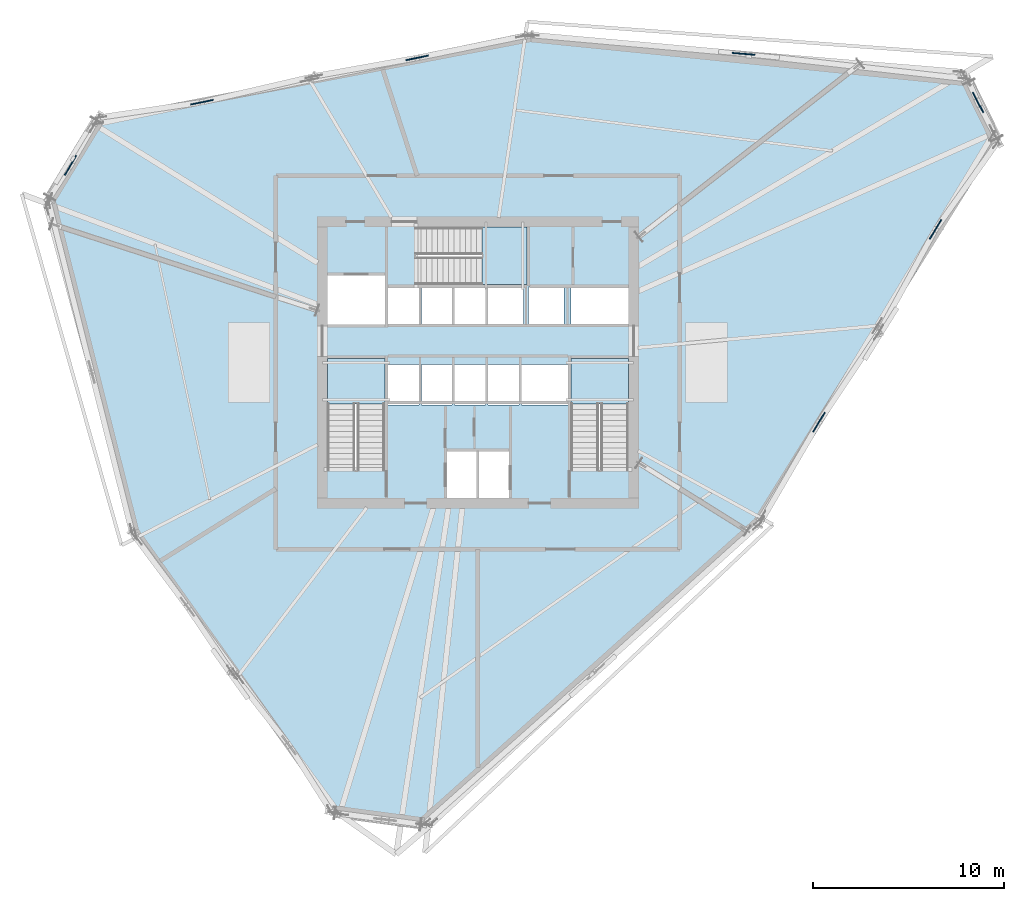
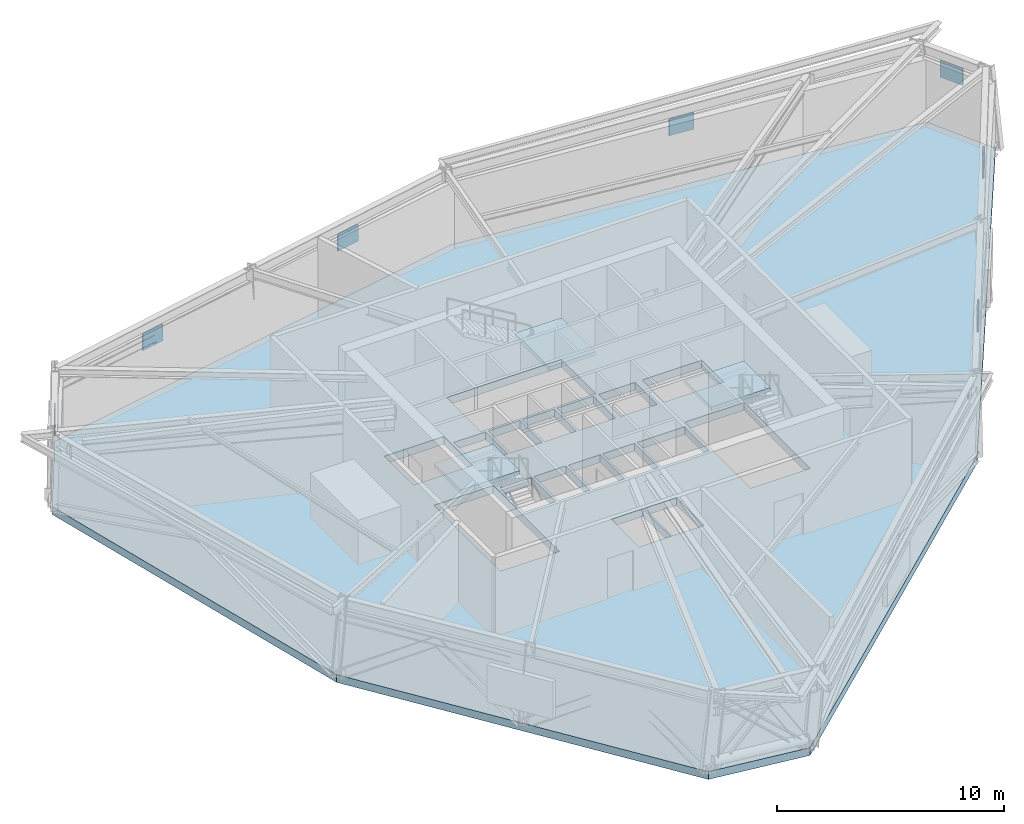
# One storey, part 4 of 14: 7 plates, 4 slabs, 3 elements without a shape of their own.
"""IFC4 building model written with IfcOpenShell, lengths in metres."""

from ifc_helpers import new_model, si_unit, direction, frame, origin, origin_2d, place, context, subcontext, project, spatial, polyline, rectangle, outline, extrude, source, transform, mapped, material, layer, layer_set, type_object, element, aggregate, save


model = new_model("IFC4")

# Units and contexts
model_context = context("Model", 3, precision=1e-05, world=origin(), true_north=direction((0.0, 1.0)))
body_context = subcontext(model_context, "Body", "Model", "MODEL_VIEW")
ifc_project = project(units=[si_unit("LENGTHUNIT", "METRE"), si_unit("AREAUNIT", "SQUARE_METRE"), si_unit("VOLUMEUNIT", "CUBIC_METRE"), si_unit("PLANEANGLEUNIT", "RADIAN"), si_unit("MASSUNIT", "GRAM", prefix="KILO")], contexts=[model_context])

# Site, building, storey
site_placement = place(None, origin())
site = spatial("IfcSite", under=ifc_project, at=site_placement, CompositionType="ELEMENT")
building_placement = place(site_placement, origin())
building = spatial("IfcBuilding", under=site, at=building_placement, Name="Olszyna Solenne Hotel", CompositionType="ELEMENT")
storey_placement = place(building_placement, frame((0.0, 0.0, 142.10009765625)))
storey = spatial("IfcBuildingStorey", under=building, at=storey_placement, Name="L37", CompositionType="ELEMENT", Elevation=142.10009765625)

# Stair, slab
ifc_material_1 = material(Name="Concrete C40/50", Category="concrete")
stair_type = type_object("IfcStairType", Name="STR-C1", PredefinedType="TWO_QUARTER_WINDING_STAIR", material=ifc_material_1)
stair_1_placement = place(storey_placement, origin())
stair_1 = element("IfcStair", 1, at=stair_1_placement, inside=storey, type_object=stair_type, Name="L37 ST1", PredefinedType="TWO_QUARTER_WINDING_STAIR")
ifc_layer_1 = layer(ifc_material_1, 0.18994140625, Name="Concrete C40/50")
ifc_layer_set_1 = layer_set([ifc_layer_1], Name="Concrete C40/50")
slab_type_1 = type_object("IfcSlabType", Name="SL-LN190", PredefinedType="LANDING", material=ifc_layer_set_1)
slab_1_placement = place(storey_placement, frame((0.0, 0.0, 2.0498046875)))
slab_1 = element("IfcSlab", 2, at=slab_1_placement, type_object=slab_type_1, Name="ST1 landing 1", PredefinedType="LANDING", context=body_context, shape_type="SweptSolid", body=[
    extrude(outline(polyline([(33.1201171875, 24.429931640625), (33.1201171875, 26.800048828125), (30.10009765625, 26.800048828125), (30.10009765625, 24.429931640625), (33.1201171875, 24.429931640625)])), origin(), (0.0, 0.0, 1.0), 0.2001953125),
])
aggregate(stair_1, [slab_1])

stair_2_placement = place(storey_placement, origin())
stair_2 = element("IfcStair", 3, at=stair_2_placement, inside=storey, type_object=stair_type, Name="L37 ST2", PredefinedType="TWO_QUARTER_WINDING_STAIR")
slab_2_placement = place(storey_placement, frame((0.0, 0.0, 2.0498046875)))
slab_2 = element("IfcSlab", 4, at=slab_2_placement, type_object=slab_type_1, Name="ST2 landing 1", PredefinedType="LANDING", context=body_context, shape_type="SweptSolid", body=[
    extrude(outline(polyline([(45.89990234375, 24.429931640625), (45.89990234375, 26.800048828125), (42.8798828125, 26.800048828125), (42.8798828125, 24.429931640625), (45.89990234375, 24.429931640625)])), origin(), (0.0, 0.0, 1.0), 0.2001953125),
])
aggregate(stair_2, [slab_2])

stair_3_placement = place(storey_placement, origin())
stair_3 = element("IfcStair", 5, at=stair_3_placement, inside=storey, type_object=stair_type, Name="L37 ST3", PredefinedType="TWO_QUARTER_WINDING_STAIR")
slab_3_placement = place(storey_placement, frame((0.0, 0.0, 2.0498046875)))
slab_3 = element("IfcSlab", 6, at=slab_3_placement, type_object=slab_type_1, Name="ST3 landing 1", PredefinedType="LANDING", context=body_context, shape_type="SweptSolid", body=[
    extrude(outline(polyline([(38.2099609375, 30.679931640625), (40.580078125, 30.679931640625), (40.580078125, 33.699951171875), (38.2099609375, 33.699951171875), (38.2099609375, 30.679931640625)])), origin(), (0.0, 0.0, 1.0), 0.2001953125),
])
aggregate(stair_3, [slab_3])

# Slab
ifc_material_2 = material(Name="Concrete C50/60", Category="concrete")
ifc_layer_2 = layer(ifc_material_2, 0.419921875, Name="Concrete C50/60")
ifc_layer_set_2 = layer_set([ifc_layer_2], Name="Concrete C50/60")
slab_type_2 = type_object("IfcSlabType", Name="SL-TR420", PredefinedType="FLOOR", material=ifc_layer_set_2)
slab_4_placement = place(storey_placement, frame((0.0, 0.0, -0.420166015625)))
element("IfcSlab", 7, at=slab_4_placement, inside=storey, type_object=slab_type_2, Name="Floor slab SL-TR420 SL-L37-01", PredefinedType="FLOOR", context=body_context, shape_type="SweptSolid", body=[
    extrude(outline(polyline([(65.297119140625, 38.212646484375), (63.68896484375, 41.473388671875), (40.731201171875, 43.790283203125), (18.070556640625, 39.43896484375), (15.453125, 35.13330078125), (19.867919921875, 17.659912109375), (30.339599609375, 2.99169921875), (35.150634765625, 2.349853515625), (52.778564453125, 18.1337890625), (65.297119140625, 38.212646484375)]), holes=[polyline([(30.10009765625, 20.949951171875), (33.1201171875, 20.949951171875), (33.1201171875, 26.800048828125), (30.10009765625, 26.800048828125), (30.10009765625, 20.949951171875)]), polyline([(42.8798828125, 20.949951171875), (45.89990234375, 20.949951171875), (45.89990234375, 26.800048828125), (42.8798828125, 26.800048828125), (42.8798828125, 20.949951171875)]), polyline([(34.72998046875, 30.679931640625), (40.580078125, 30.679931640625), (40.580078125, 33.699951171875), (34.72998046875, 33.699951171875), (34.72998046875, 30.679931640625)]), polyline([(36.340087890625, 19.5), (37.9599609375, 19.5), (37.9599609375, 21.9599609375), (36.340087890625, 21.9599609375), (36.340087890625, 19.5)]), polyline([(38.0400390625, 19.5), (39.659912109375, 19.5), (39.659912109375, 21.9599609375), (38.0400390625, 21.9599609375), (38.0400390625, 19.5)]), polyline([(30.10009765625, 28.60009765625), (33.1201171875, 28.60009765625), (33.1201171875, 31.159912109375), (30.10009765625, 31.159912109375), (30.10009765625, 28.60009765625)]), polyline([(33.280029296875, 24.360107421875), (34.89990234375, 24.360107421875), (34.89990234375, 26.5), (33.280029296875, 26.5), (33.280029296875, 24.360107421875)]), polyline([(35.030029296875, 24.360107421875), (36.64990234375, 24.360107421875), (36.64990234375, 26.5), (35.030029296875, 26.5), (35.030029296875, 24.360107421875)]), polyline([(36.780029296875, 24.360107421875), (38.39990234375, 24.360107421875), (38.39990234375, 26.5), (36.780029296875, 26.5), (36.780029296875, 24.360107421875)]), polyline([(38.530029296875, 24.360107421875), (40.14990234375, 24.360107421875), (40.14990234375, 26.5), (38.530029296875, 26.5), (38.530029296875, 24.360107421875)]), polyline([(40.280029296875, 24.360107421875), (42.719970703125, 24.360107421875), (42.719970703125, 26.5), (40.280029296875, 26.5), (40.280029296875, 24.360107421875)]), polyline([(33.280029296875, 28.60009765625), (34.89990234375, 28.60009765625), (34.89990234375, 30.550048828125), (33.280029296875, 30.550048828125), (33.280029296875, 28.60009765625)]), polyline([(35.030029296875, 28.60009765625), (36.64990234375, 28.60009765625), (36.64990234375, 30.550048828125), (35.030029296875, 30.550048828125), (35.030029296875, 28.60009765625)]), polyline([(36.780029296875, 28.60009765625), (38.39990234375, 28.60009765625), (38.39990234375, 30.550048828125), (36.780029296875, 30.550048828125), (36.780029296875, 28.60009765625)]), polyline([(38.530029296875, 28.60009765625), (40.389892578125, 28.60009765625), (40.389892578125, 30.550048828125), (38.530029296875, 30.550048828125), (38.530029296875, 28.60009765625)]), polyline([(40.659912109375, 28.60009765625), (42.52001953125, 28.60009765625), (42.52001953125, 30.550048828125), (40.659912109375, 30.550048828125), (40.659912109375, 28.60009765625)]), polyline([(42.8798828125, 28.60009765625), (45.89990234375, 28.60009765625), (45.89990234375, 30.550048828125), (42.8798828125, 30.550048828125), (42.8798828125, 28.60009765625)])]), origin(), (0.0, 0.0, 1.0), 0.420166015625),
])

# Plates
ifc_material_3 = material(Name="Steel S460M", Category="steel")
plate_type = type_object("IfcPlateType", Name="GP-ND1", PredefinedType="USERDEFINED", material=ifc_material_3)
shared_shape = source(origin(), body_context, "Body", "SweptSolid", [
    extrude(rectangle(XDim=1.199951171875, YDim=0.06005859375, at=origin_2d()), origin(), (0.0, 0.0, 1.0), 0.89990234375),
])
for number, where, z_axis, x_axis, name in (
    (8, (64.24267578125, 40.237060546875, 2.75), (0.0, 0.0, 1.0), (-0.4563215909, 0.889814927768, 0.0), "Belt truss node gusset plate TN-L37-01"),
    (9, (51.939453125, 42.791015625, 2.75), (0.0, 0.0, 1.0), (-0.996565502498, 0.082808207512, 0.0), "Belt truss node gusset plate TN-L37-02"),
    (10, (34.814697265625, 42.580810546875, 2.75), (0.0, 0.0, 1.0), (-0.979399403038, -0.201932685142, 0.0), "Belt truss node gusset plate TN-L37-03"),
    (11, (23.530029296875, 40.25341796875, 2.75), (0.0, 0.0, 1.0), (-0.979399403038, -0.201932685142, 0.0), "Belt truss node gusset plate TN-L37-04"),
    (12, (16.626708984375, 36.939453125, 2.75), (0.0, 0.0, 1.0), (-0.506033764121, -0.862513669207, 0.0), "Belt truss node gusset plate TN-L37-05"),
    (13, (55.894775390625, 23.47021484375, 2.75), (0.0, 0.0, 1.0), (0.517280366086, 0.855815998251, 0.0), "Belt truss node gusset plate TN-L37-11"),
    (14, (62.00732421875, 33.5810546875, 2.75), (0.0, 0.0, 1.0), (0.517280366086, 0.855815998251, 0.0), "Belt truss node gusset plate TN-L37-12"),
):
    element("IfcPlate", number, at=place(storey_placement, frame(where, z_axis=z_axis, x_axis=x_axis)), inside=storey, type_object=plate_type, Name=name, ObjectType="GUSSET_PLATE", PredefinedType="USERDEFINED", context=body_context, shape_type="MappedRepresentation", body=[
        mapped(shared_shape, transform((0.0, 0.0, 0.0), x_axis=(1.0, 0.0, 0.0), y_axis=(0.0, 1.0, 0.0), z_axis=(0.0, 0.0, 1.0), scale=1.0)),
    ])

save(model, "model.ifc")
